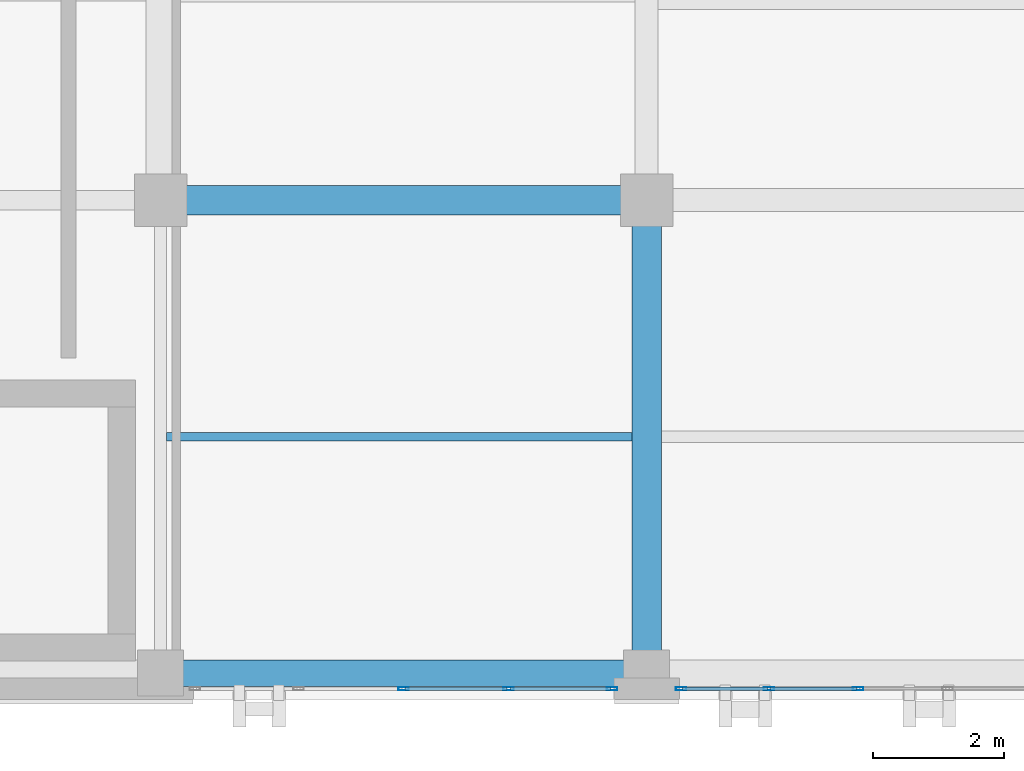
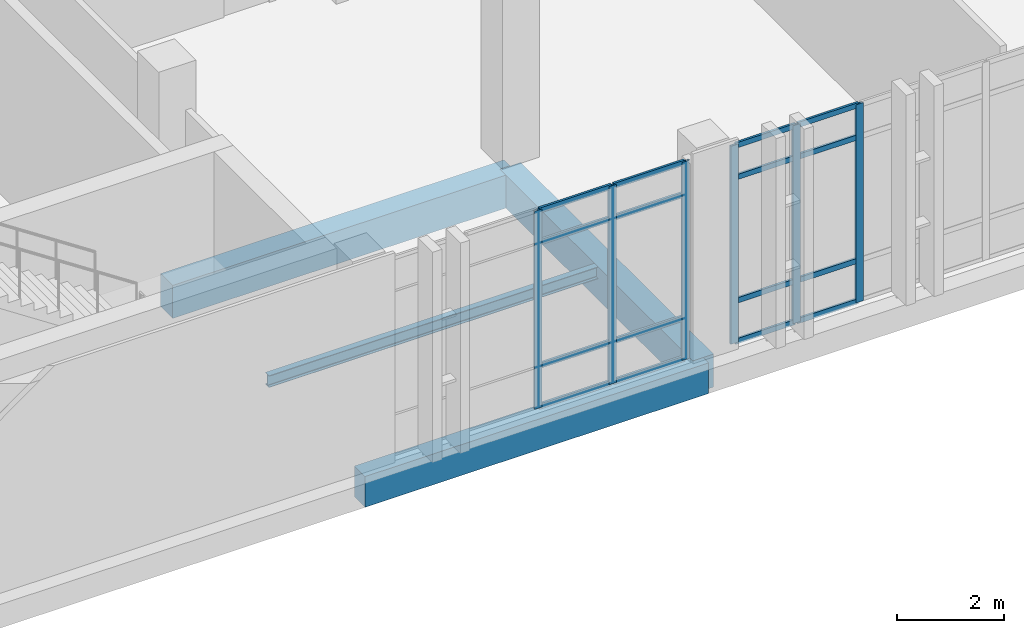
# One storey, part 114 of 189: 22 members, 4 beams, 2 elements without a shape of their own.
"""IFC4 building model written with IfcOpenShell, lengths in metres."""

from ifc_helpers import new_model, si_unit, direction, frame, origin, origin_2d, place, context, subcontext, project, spatial, rectangle, hollow_rectangle, i_section, extrude, material, layer, layer_set, material_profile, profile_set, type_object, element, aggregate, save


model = new_model("IFC4")

# Units and contexts
model_context = context("Model", 3, precision=1e-05, world=origin(), true_north=direction((0.0, 1.0)))
body_context = subcontext(model_context, "Body", "Model", "MODEL_VIEW")
ifc_project = project(units=[si_unit("LENGTHUNIT", "METRE"), si_unit("AREAUNIT", "SQUARE_METRE"), si_unit("VOLUMEUNIT", "CUBIC_METRE"), si_unit("PLANEANGLEUNIT", "RADIAN"), si_unit("MASSUNIT", "GRAM", prefix="KILO")], contexts=[model_context])

# Site, building, storey
site_placement = place(None, origin())
site = spatial("IfcSite", under=ifc_project, at=site_placement, CompositionType="ELEMENT")
building_placement = place(site_placement, origin())
building = spatial("IfcBuilding", under=site, at=building_placement, Name="Qalavern Law Courts", CompositionType="ELEMENT")
storey_placement = place(building_placement, frame((0.0, 0.0, 5.39990234375)))
storey = spatial("IfcBuildingStorey", under=building, at=storey_placement, Name="L01", CompositionType="ELEMENT", Elevation=5.39990234375)

# Curtain wall, members
ifc_material_1 = material(Name="Anodised aluminium and insulated glazing", Category="aluminium")
ifc_layer = layer(ifc_material_1, 0.172119140625)
ifc_layer_set = layer_set([ifc_layer], Name="Anodised aluminium and insulated glazing")
curtain_wall_type = type_object("IfcCurtainWallType", Name="ENV-CW-COURT", PredefinedType="USERDEFINED", material=ifc_layer_set)
curtain_wall_1_placement = place(storey_placement, origin())
curtain_wall_1 = element("IfcCurtainWall", 1, at=curtain_wall_1_placement, inside=storey, type_object=curtain_wall_type, Name="V6 unitised curtain wall L01 south 3", ObjectType="UNITISED CURTAIN WALL", PredefinedType="USERDEFINED")
ifc_material_2 = material(Name="Anodised aluminium", Category="aluminium")
ifc_material_profile_1 = material_profile(ifc_material_2, hollow_rectangle(XDim=0.048095703125, YDim=0.159912109375, WallThickness=0.00390625, at=origin_2d()), Name="ALU MULLION 48x160")
ifc_profile_set_1 = profile_set([ifc_material_profile_1], Name="Anodised aluminium")
member_type_1 = type_object("IfcMemberType", Name="ENV-CWM-48x160", PredefinedType="MULLION", material=ifc_profile_set_1)
member_1_placement = place(storey_placement, frame((130.5, 1.16259765625, 0.0), z_axis=(0.0, 0.0, 1.0), x_axis=(0.0, 1.0, 0.0)))
member_1 = element("IfcMember", 2, at=member_1_placement, type_object=member_type_1, Name="CW-03 mullion 3", PredefinedType="MULLION", context=body_context, shape_type="SweptSolid", body=[
    extrude(hollow_rectangle(XDim=0.048095703125, YDim=0.159912109375, WallThickness=0.00390625, at=origin_2d()), origin(), (0.0, 0.0, 1.0), 4.510009765625),
])
member_2_placement = place(storey_placement, frame((132.10009765625, 1.16259765625, 0.0), z_axis=(0.0, 0.0, 1.0), x_axis=(0.0, 1.0, 0.0)))
member_2 = element("IfcMember", 3, at=member_2_placement, type_object=member_type_1, Name="CW-03 mullion 4", PredefinedType="MULLION", context=body_context, shape_type="SweptSolid", body=[
    extrude(hollow_rectangle(XDim=0.048095703125, YDim=0.159912109375, WallThickness=0.00390625, at=origin_2d()), origin(), (0.0, 0.0, 1.0), 4.510009765625),
])
member_3_placement = place(storey_placement, frame((133.676025390625, 1.16259765625, 0.0), z_axis=(0.0, 0.0, 1.0), x_axis=(0.0, 1.0, 0.0)))
member_3 = element("IfcMember", 4, at=member_3_placement, type_object=member_type_1, Name="CW-03 mullion 5", PredefinedType="MULLION", context=body_context, shape_type="SweptSolid", body=[
    extrude(hollow_rectangle(XDim=0.048095703125, YDim=0.159912109375, WallThickness=0.00390625, at=origin_2d()), origin(), (0.0, 0.0, 1.0), 4.510009765625),
])

curtain_wall_2_placement = place(storey_placement, origin())
curtain_wall_2 = element("IfcCurtainWall", 5, at=curtain_wall_2_placement, inside=storey, type_object=curtain_wall_type, Name="V6 unitised curtain wall L01 south 4", ObjectType="UNITISED CURTAIN WALL", PredefinedType="USERDEFINED")
member_4_placement = place(storey_placement, frame((134.72412109375, 1.16259765625, 0.0), z_axis=(0.0, 0.0, 1.0), x_axis=(0.0, 1.0, 0.0)))
member_4 = element("IfcMember", 6, at=member_4_placement, type_object=member_type_1, Name="CW-03 mullion 1", PredefinedType="MULLION", context=body_context, shape_type="SweptSolid", body=[
    extrude(hollow_rectangle(XDim=0.048095703125, YDim=0.159912109375, WallThickness=0.00390625, at=origin_2d()), origin(), (0.0, 0.0, 1.0), 4.510009765625),
])
member_5_placement = place(storey_placement, frame((136.06005859375, 1.16259765625, 0.0), z_axis=(0.0, 0.0, 1.0), x_axis=(0.0, 1.0, 0.0)))
member_5 = element("IfcMember", 7, at=member_5_placement, type_object=member_type_1, Name="CW-03 mullion 2", PredefinedType="MULLION", context=body_context, shape_type="SweptSolid", body=[
    extrude(hollow_rectangle(XDim=0.048095703125, YDim=0.159912109375, WallThickness=0.00390625, at=origin_2d()), origin(), (0.0, 0.0, 1.0), 4.510009765625),
])
member_6_placement = place(storey_placement, frame((137.419921875, 1.16259765625, 0.0), z_axis=(0.0, 0.0, 1.0), x_axis=(0.0, 1.0, 0.0)))
member_6 = element("IfcMember", 8, at=member_6_placement, type_object=member_type_1, Name="CW-03 mullion 3", PredefinedType="MULLION", context=body_context, shape_type="SweptSolid", body=[
    extrude(hollow_rectangle(XDim=0.048095703125, YDim=0.159912109375, WallThickness=0.00390625, at=origin_2d()), origin(), (0.0, 0.0, 1.0), 4.510009765625),
])

# Member
ifc_material_profile_2 = material_profile(ifc_material_2, hollow_rectangle(XDim=0.048095703125, YDim=0.1201171875, WallThickness=0.00390625, at=origin_2d()), Name="ALU TRANSOM 48x120")
ifc_profile_set_2 = profile_set([ifc_material_profile_2], Name="Anodised aluminium")
member_type_2 = type_object("IfcMemberType", Name="ENV-CWT-48x120", PredefinedType="USERDEFINED", material=ifc_profile_set_2)
member_7_placement = place(storey_placement, frame((130.52392578125, 1.16259765625, 0.024169921875), z_axis=(1.0, 0.0, 0.0), x_axis=(0.0, 1.0, 0.0)))
member_7 = element("IfcMember", 9, at=member_7_placement, type_object=member_type_2, Name="CW-03 transom 3.1", ObjectType="TRANSOM", PredefinedType="USERDEFINED", context=body_context, shape_type="SweptSolid", body=[
    extrude(hollow_rectangle(XDim=0.048095703125, YDim=0.1201171875, WallThickness=0.00390625, at=origin_2d()), origin(), (0.0, 0.0, 1.0), 1.552001953125),
])

member_8_placement = place(storey_placement, frame((130.52392578125, 1.16259765625, 0.9501953125), z_axis=(1.0, 0.0, 0.0), x_axis=(0.0, 1.0, 0.0)))
member_8 = element("IfcMember", 10, at=member_8_placement, type_object=member_type_2, Name="CW-03 transom 3.2", ObjectType="TRANSOM", PredefinedType="USERDEFINED", context=body_context, shape_type="SweptSolid", body=[
    extrude(hollow_rectangle(XDim=0.048095703125, YDim=0.1201171875, WallThickness=0.00390625, at=origin_2d()), origin(), (0.0, 0.0, 1.0), 1.552001953125),
])

member_9_placement = place(storey_placement, frame((130.52392578125, 1.16259765625, 3.760009765625), z_axis=(1.0, 0.0, 0.0), x_axis=(0.0, 1.0, 0.0)))
member_9 = element("IfcMember", 11, at=member_9_placement, type_object=member_type_2, Name="CW-03 transom 3.3", ObjectType="TRANSOM", PredefinedType="USERDEFINED", context=body_context, shape_type="SweptSolid", body=[
    extrude(hollow_rectangle(XDim=0.048095703125, YDim=0.1201171875, WallThickness=0.00390625, at=origin_2d()), origin(), (0.0, 0.0, 1.0), 1.552001953125),
])

member_10_placement = place(storey_placement, frame((130.52392578125, 1.16259765625, 4.486083984375), z_axis=(1.0, 0.0, 0.0), x_axis=(0.0, 1.0, 0.0)))
member_10 = element("IfcMember", 12, at=member_10_placement, type_object=member_type_2, Name="CW-03 transom 3.4", ObjectType="TRANSOM", PredefinedType="USERDEFINED", context=body_context, shape_type="SweptSolid", body=[
    extrude(hollow_rectangle(XDim=0.048095703125, YDim=0.1201171875, WallThickness=0.00390625, at=origin_2d()), origin(), (0.0, 0.0, 1.0), 1.552001953125),
])

member_11_placement = place(storey_placement, frame((132.1240234375, 1.16259765625, 0.024169921875), z_axis=(1.0, 0.0, 0.0), x_axis=(0.0, 1.0, 0.0)))
member_11 = element("IfcMember", 13, at=member_11_placement, type_object=member_type_2, Name="CW-03 transom 4.1", ObjectType="TRANSOM", PredefinedType="USERDEFINED", context=body_context, shape_type="SweptSolid", body=[
    extrude(hollow_rectangle(XDim=0.048095703125, YDim=0.1201171875, WallThickness=0.00390625, at=origin_2d()), origin(), (0.0, 0.0, 1.0), 1.528076171875),
])

member_12_placement = place(storey_placement, frame((132.1240234375, 1.16259765625, 0.9501953125), z_axis=(1.0, 0.0, 0.0), x_axis=(0.0, 1.0, 0.0)))
member_12 = element("IfcMember", 14, at=member_12_placement, type_object=member_type_2, Name="CW-03 transom 4.2", ObjectType="TRANSOM", PredefinedType="USERDEFINED", context=body_context, shape_type="SweptSolid", body=[
    extrude(hollow_rectangle(XDim=0.048095703125, YDim=0.1201171875, WallThickness=0.00390625, at=origin_2d()), origin(), (0.0, 0.0, 1.0), 1.528076171875),
])

member_13_placement = place(storey_placement, frame((132.1240234375, 1.16259765625, 3.760009765625), z_axis=(1.0, 0.0, 0.0), x_axis=(0.0, 1.0, 0.0)))
member_13 = element("IfcMember", 15, at=member_13_placement, type_object=member_type_2, Name="CW-03 transom 4.3", ObjectType="TRANSOM", PredefinedType="USERDEFINED", context=body_context, shape_type="SweptSolid", body=[
    extrude(hollow_rectangle(XDim=0.048095703125, YDim=0.1201171875, WallThickness=0.00390625, at=origin_2d()), origin(), (0.0, 0.0, 1.0), 1.528076171875),
])

member_14_placement = place(storey_placement, frame((132.1240234375, 1.16259765625, 4.486083984375), z_axis=(1.0, 0.0, 0.0), x_axis=(0.0, 1.0, 0.0)))
member_14 = element("IfcMember", 16, at=member_14_placement, type_object=member_type_2, Name="CW-03 transom 4.4", ObjectType="TRANSOM", PredefinedType="USERDEFINED", context=body_context, shape_type="SweptSolid", body=[
    extrude(hollow_rectangle(XDim=0.048095703125, YDim=0.1201171875, WallThickness=0.00390625, at=origin_2d()), origin(), (0.0, 0.0, 1.0), 1.528076171875),
])

aggregate(curtain_wall_1, [member_1, member_2, member_3, member_7, member_8, member_9, member_10, member_11, member_12, member_13, member_14])

member_15_placement = place(storey_placement, frame((134.748046875, 1.16259765625, 0.024169921875), z_axis=(1.0, 0.0, 0.0), x_axis=(0.0, 1.0, 0.0)))
member_15 = element("IfcMember", 17, at=member_15_placement, type_object=member_type_2, Name="CW-03 transom 1.1", ObjectType="TRANSOM", PredefinedType="USERDEFINED", context=body_context, shape_type="SweptSolid", body=[
    extrude(hollow_rectangle(XDim=0.048095703125, YDim=0.1201171875, WallThickness=0.00390625, at=origin_2d()), origin(), (0.0, 0.0, 1.0), 1.287841796875),
])

member_16_placement = place(storey_placement, frame((134.748046875, 1.16259765625, 0.9501953125), z_axis=(1.0, 0.0, 0.0), x_axis=(0.0, 1.0, 0.0)))
member_16 = element("IfcMember", 18, at=member_16_placement, type_object=member_type_2, Name="CW-03 transom 1.2", ObjectType="TRANSOM", PredefinedType="USERDEFINED", context=body_context, shape_type="SweptSolid", body=[
    extrude(hollow_rectangle(XDim=0.048095703125, YDim=0.1201171875, WallThickness=0.00390625, at=origin_2d()), origin(), (0.0, 0.0, 1.0), 1.287841796875),
])

member_17_placement = place(storey_placement, frame((134.748046875, 1.16259765625, 3.760009765625), z_axis=(1.0, 0.0, 0.0), x_axis=(0.0, 1.0, 0.0)))
member_17 = element("IfcMember", 19, at=member_17_placement, type_object=member_type_2, Name="CW-03 transom 1.3", ObjectType="TRANSOM", PredefinedType="USERDEFINED", context=body_context, shape_type="SweptSolid", body=[
    extrude(hollow_rectangle(XDim=0.048095703125, YDim=0.1201171875, WallThickness=0.00390625, at=origin_2d()), origin(), (0.0, 0.0, 1.0), 1.287841796875),
])

member_18_placement = place(storey_placement, frame((134.748046875, 1.16259765625, 4.486083984375), z_axis=(1.0, 0.0, 0.0), x_axis=(0.0, 1.0, 0.0)))
member_18 = element("IfcMember", 20, at=member_18_placement, type_object=member_type_2, Name="CW-03 transom 1.4", ObjectType="TRANSOM", PredefinedType="USERDEFINED", context=body_context, shape_type="SweptSolid", body=[
    extrude(hollow_rectangle(XDim=0.048095703125, YDim=0.1201171875, WallThickness=0.00390625, at=origin_2d()), origin(), (0.0, 0.0, 1.0), 1.287841796875),
])

member_19_placement = place(storey_placement, frame((136.083984375, 1.16259765625, 0.024169921875), z_axis=(1.0, 0.0, 0.0), x_axis=(0.0, 1.0, 0.0)))
member_19 = element("IfcMember", 21, at=member_19_placement, type_object=member_type_2, Name="CW-03 transom 2.1", ObjectType="TRANSOM", PredefinedType="USERDEFINED", context=body_context, shape_type="SweptSolid", body=[
    extrude(hollow_rectangle(XDim=0.048095703125, YDim=0.1201171875, WallThickness=0.00390625, at=origin_2d()), origin(), (0.0, 0.0, 1.0), 1.31201171875),
])

member_20_placement = place(storey_placement, frame((136.083984375, 1.16259765625, 0.9501953125), z_axis=(1.0, 0.0, 0.0), x_axis=(0.0, 1.0, 0.0)))
member_20 = element("IfcMember", 22, at=member_20_placement, type_object=member_type_2, Name="CW-03 transom 2.2", ObjectType="TRANSOM", PredefinedType="USERDEFINED", context=body_context, shape_type="SweptSolid", body=[
    extrude(hollow_rectangle(XDim=0.048095703125, YDim=0.1201171875, WallThickness=0.00390625, at=origin_2d()), origin(), (0.0, 0.0, 1.0), 1.31201171875),
])

member_21_placement = place(storey_placement, frame((136.083984375, 1.16259765625, 3.760009765625), z_axis=(1.0, 0.0, 0.0), x_axis=(0.0, 1.0, 0.0)))
member_21 = element("IfcMember", 23, at=member_21_placement, type_object=member_type_2, Name="CW-03 transom 2.3", ObjectType="TRANSOM", PredefinedType="USERDEFINED", context=body_context, shape_type="SweptSolid", body=[
    extrude(hollow_rectangle(XDim=0.048095703125, YDim=0.1201171875, WallThickness=0.00390625, at=origin_2d()), origin(), (0.0, 0.0, 1.0), 1.31201171875),
])

member_22_placement = place(storey_placement, frame((136.083984375, 1.16259765625, 4.486083984375), z_axis=(1.0, 0.0, 0.0), x_axis=(0.0, 1.0, 0.0)))
member_22 = element("IfcMember", 24, at=member_22_placement, type_object=member_type_2, Name="CW-03 transom 2.4", ObjectType="TRANSOM", PredefinedType="USERDEFINED", context=body_context, shape_type="SweptSolid", body=[
    extrude(hollow_rectangle(XDim=0.048095703125, YDim=0.1201171875, WallThickness=0.00390625, at=origin_2d()), origin(), (0.0, 0.0, 1.0), 1.31201171875),
])

aggregate(curtain_wall_2, [member_4, member_5, member_6, member_15, member_16, member_17, member_18, member_19, member_20, member_21, member_22])

# Beams
ifc_material_3 = material(Name="Concrete C40/50", Category="concrete")
ifc_material_profile_3 = material_profile(ifc_material_3, rectangle(XDim=0.449951171875, YDim=0.75, at=origin_2d()), Name="RC 450x750")
ifc_profile_set_3 = profile_set([ifc_material_profile_3], Name="Concrete C40/50")
beam_type_1 = type_object("IfcBeamType", Name="STR-BM-RC450x750", PredefinedType="BEAM", material=ifc_profile_set_3)
beam_1_placement = place(storey_placement, frame((126.800048828125, 8.60009765625, -0.6748046875), z_axis=(1.0, 0.0, 0.0), x_axis=(0.0, 1.0, 0.0)))
element("IfcBeam", 25, at=beam_1_placement, inside=storey, type_object=beam_type_1, Name="V6 X-beam 2-4 L01", PredefinedType="BEAM", context=body_context, shape_type="SweptSolid", body=[
    extrude(rectangle(XDim=0.449951171875, YDim=0.75, at=origin_2d()), origin(), (0.0, 0.0, 1.0), 7.39990234375),
])
beam_2_placement = place(storey_placement, frame((134.199951171875, 1.39990234375, -0.6748046875), z_axis=(0.0, 1.0, 0.0), x_axis=(-1.0, 0.0, 0.0)))
element("IfcBeam", 26, at=beam_2_placement, inside=storey, type_object=beam_type_1, Name="V6 Y-beam 5-1 L01", PredefinedType="BEAM", context=body_context, shape_type="SweptSolid", body=[
    extrude(rectangle(XDim=0.449951171875, YDim=0.75, at=origin_2d()), origin(), (0.0, 0.0, 1.0), 7.2001953125),
])
ifc_material_4 = material(Name="Steel S355", Category="steel")
ifc_material_profile_4 = material_profile(ifc_material_4, i_section(OverallWidth=0.135009765625, OverallDepth=0.27001953125, WebThickness=0.006591796875, FlangeThickness=0.01025390625, FilletRadius=0.014892578125, at=origin_2d()), Name="IPE 270")
ifc_profile_set_4 = profile_set([ifc_material_profile_4], Name="Steel S355")
beam_type_2 = type_object("IfcBeamType", Name="STR-JST-IPE270", PredefinedType="JOIST", material=ifc_profile_set_4)
beam_3_placement = place(storey_placement, frame((126.887939453125, 5.0, -0.434814453125), z_axis=(1.0, 0.0, 0.0), x_axis=(0.0, 1.0, 0.0)))
element("IfcBeam", 27, at=beam_3_placement, inside=storey, type_object=beam_type_2, Name="V6 secondary joist 4.1.1 L01", PredefinedType="JOIST", context=body_context, shape_type="SweptSolid", body=[
    extrude(i_section(OverallWidth=0.135009765625, OverallDepth=0.27001953125, WebThickness=0.006591796875, FlangeThickness=0.01025390625, FilletRadius=0.014892578125, at=origin_2d()), origin(), (0.0, 0.0, 1.0), 7.089111328125),
])
ifc_material_profile_5 = material_profile(ifc_material_3, rectangle(XDim=0.39990234375, YDim=0.699951171875, at=origin_2d()), Name="RC 400x700")
ifc_profile_set_5 = profile_set([ifc_material_profile_5], Name="Concrete C40/50")
beam_type_3 = type_object("IfcBeamType", Name="STR-SP-RC400x700", PredefinedType="SPANDREL", material=ifc_profile_set_5)
beam_4_placement = place(storey_placement, frame((126.800048828125, 1.39990234375, -0.64990234375), z_axis=(1.0, 0.0, 0.0), x_axis=(0.0, 1.0, 0.0)))
element("IfcBeam", 28, at=beam_4_placement, inside=storey, type_object=beam_type_3, Name="V6 X-beam 1-4 L01", PredefinedType="SPANDREL", context=body_context, shape_type="SweptSolid", body=[
    extrude(rectangle(XDim=0.39990234375, YDim=0.699951171875, at=origin_2d()), origin(), (0.0, 0.0, 1.0), 7.39990234375),
])

save(model, "model.ifc")
